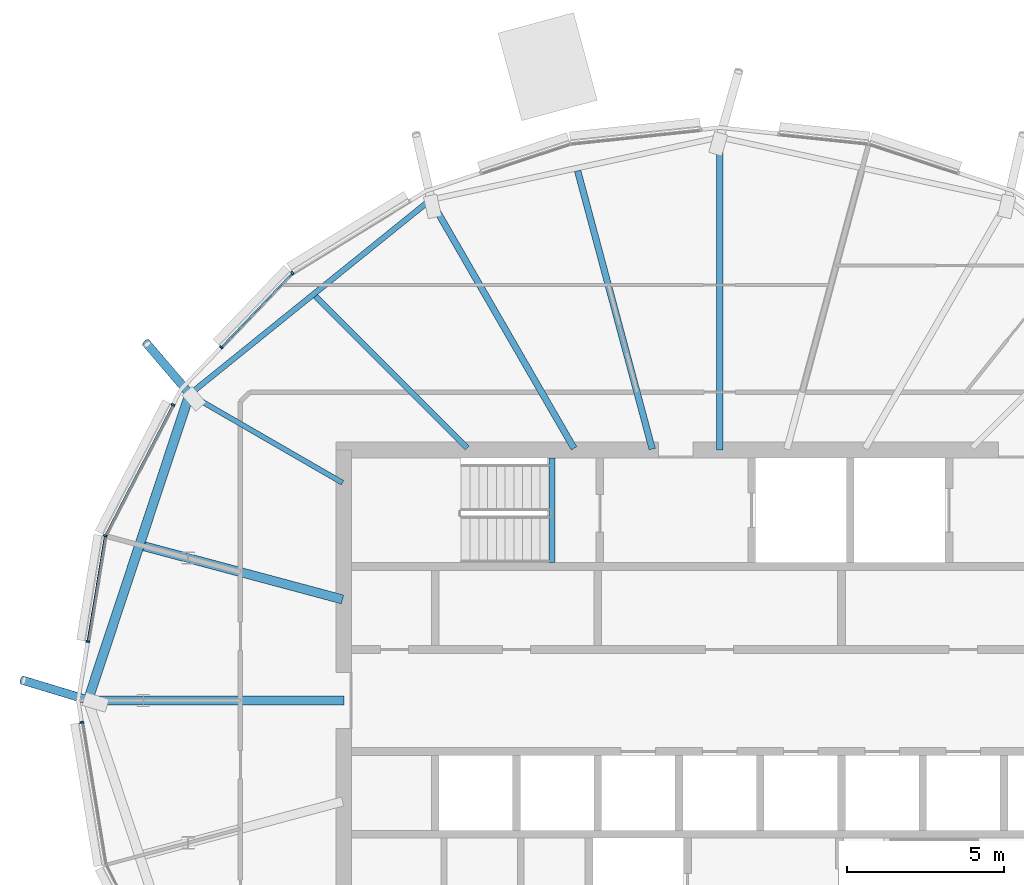
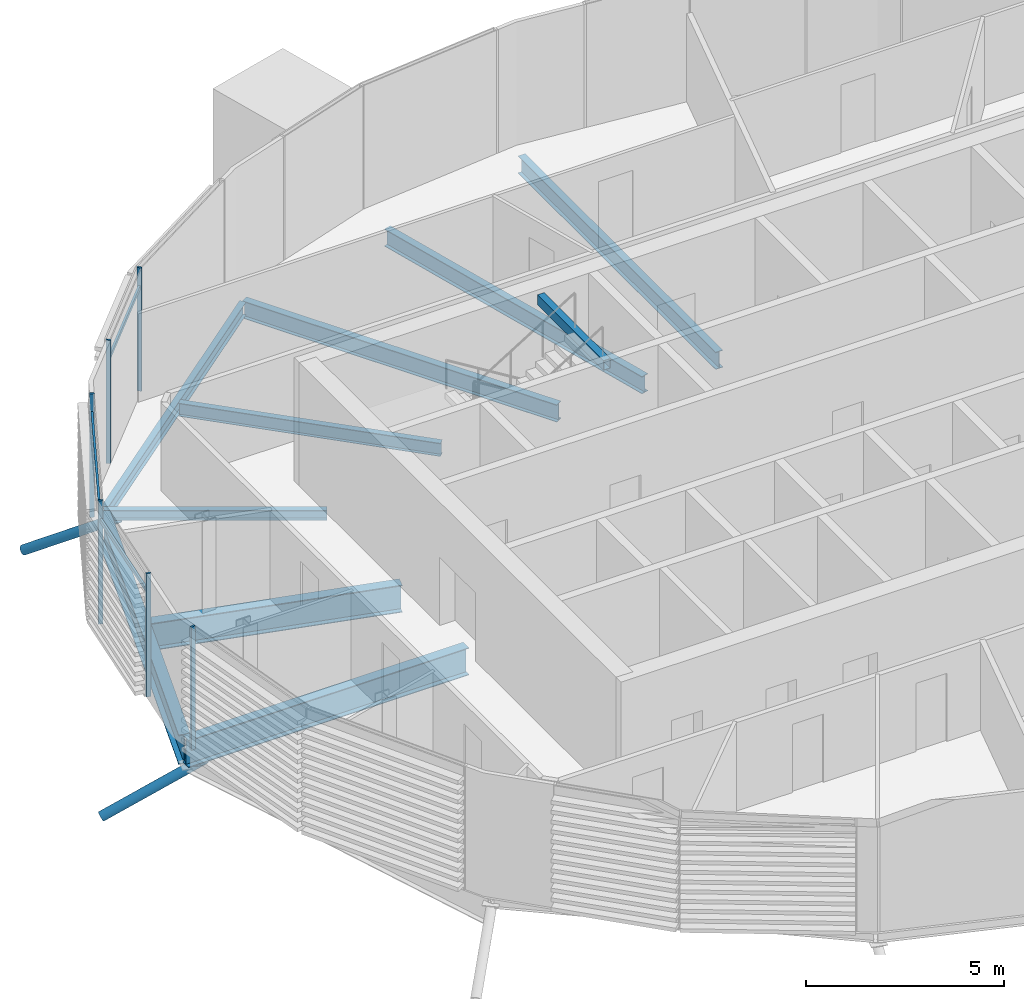
# One storey, part 5 of 33: 11 members, 10 beams, 1 element without a shape of its own.
"""IFC4 building model written with IfcOpenShell, lengths in metres."""

from ifc_helpers import new_model, si_unit, direction, frame, origin, origin_2d, place, context, subcontext, project, spatial, rectangle, hollow_rectangle, hollow_circle, i_section, extrude, clip, halfspace, material, material_profile, profile_set, type_object, element, aggregate, save


model = new_model("IFC4")

# Units and contexts
model_context = context("Model", 3, precision=1e-05, world=origin(), true_north=direction((0.0, 1.0)))
body_context = subcontext(model_context, "Body", "Model", "MODEL_VIEW")
ifc_project = project(units=[si_unit("LENGTHUNIT", "METRE"), si_unit("AREAUNIT", "SQUARE_METRE"), si_unit("VOLUMEUNIT", "CUBIC_METRE"), si_unit("PLANEANGLEUNIT", "RADIAN"), si_unit("MASSUNIT", "GRAM", prefix="KILO")], contexts=[model_context])

# Site, building, storey
site_placement = place(None, origin())
site = spatial("IfcSite", under=ifc_project, at=site_placement, CompositionType="ELEMENT")
building_placement = place(site_placement, origin())
building = spatial("IfcBuilding", under=site, at=building_placement, Name="Rimbun Link Towers", CompositionType="ELEMENT")
storey_placement = place(building_placement, frame((0.0, 0.0, 237.10009765625)))
storey = spatial("IfcBuildingStorey", under=building, at=storey_placement, Name="L58", CompositionType="ELEMENT", Elevation=237.10009765625)

# Curtain wall, members
ifc_material_1 = material(Name="Aluminium 6063-T6 and low-iron glass", Category="aluminium")
curtain_wall_type = type_object("IfcCurtainWallType", Name="CW1-Z4 unitised vision wall (zone 4)", PredefinedType="NOTDEFINED", material=ifc_material_1)
curtain_wall_placement = place(storey_placement, origin())
curtain_wall = element("IfcCurtainWall", 1, at=curtain_wall_placement, inside=storey, type_object=curtain_wall_type, Name="CW1 L58 T1", PredefinedType="NOTDEFINED")
ifc_material_2 = material(Name="Aluminium 6063-T6", Category="aluminium")
ifc_material_profile_1 = material_profile(ifc_material_2, rectangle(XDim=0.1201171875, YDim=0.06005859375, at=origin_2d()), Name="MULLION 60X120")
ifc_profile_set_1 = profile_set([ifc_material_profile_1], Name="Aluminium 6063-T6")
member_type_1 = type_object("IfcMemberType", Name="CW1 mullion 60X120", PredefinedType="MULLION", material=ifc_profile_set_1)
member_1_placement = place(storey_placement, frame((-45.39111328125, 13.650146484375, 0.0), z_axis=(0.0, 0.0, 1.0), x_axis=(-0.627668219007, 0.778480961134, 0.0)))
member_1 = element("IfcMember", 2, at=member_1_placement, type_object=member_type_1, Name="CW1 mullion", PredefinedType="MULLION", context=body_context, shape_type="SweptSolid", body=[
    extrude(rectangle(XDim=0.1201171875, YDim=0.06005859375, at=origin_2d()), origin(), (0.0, 0.0, 1.0), 3.7998046875),
])
member_2_placement = place(storey_placement, frame((-47.664794921875, 11.279541015625, 0.0), z_axis=(0.0, 0.0, 1.0), x_axis=(-0.721841631662, 0.692058277025, 0.0)))
member_2 = element("IfcMember", 3, at=member_2_placement, type_object=member_type_1, Name="CW1 mullion", PredefinedType="MULLION", context=body_context, shape_type="SweptSolid", body=[
    extrude(rectangle(XDim=0.1201171875, YDim=0.06005859375, at=origin_2d()), origin(), (0.0, 0.0, 1.0), 3.7998046875),
])
member_3_placement = place(storey_placement, frame((-51.3701171875, 5.260986328125, 0.0), z_axis=(0.0, 0.0, 1.0), x_axis=(-0.949161339918, 0.314790010651, 0.0)))
member_3 = element("IfcMember", 4, at=member_3_placement, type_object=member_type_1, Name="CW1 mullion", PredefinedType="MULLION", context=body_context, shape_type="SweptSolid", body=[
    extrude(rectangle(XDim=0.1201171875, YDim=0.06005859375, at=origin_2d()), origin(), (0.0, 0.0, 1.0), 3.7998046875),
])
member_4_placement = place(storey_placement, frame((-49.207763671875, 9.441650390625, 0.0), z_axis=(0.0, 0.0, 1.0), x_axis=(-0.888151937067, 0.459549928391, 0.0)))
member_4 = element("IfcMember", 5, at=member_4_placement, type_object=member_type_1, Name="CW1 mullion", PredefinedType="MULLION", context=body_context, shape_type="SweptSolid", body=[
    extrude(rectangle(XDim=0.1201171875, YDim=0.06005859375, at=origin_2d()), origin(), (0.0, 0.0, 1.0), 3.7998046875),
])
member_5_placement = place(storey_placement, frame((-51.926025390625, 1.884521484375, 0.0), z_axis=(0.0, 0.0, 1.0), x_axis=(-0.986747736898, 0.162261836936, 0.0)))
member_5 = element("IfcMember", 6, at=member_5_placement, type_object=member_type_1, Name="CW1 mullion", PredefinedType="MULLION", context=body_context, shape_type="SweptSolid", body=[
    extrude(rectangle(XDim=0.1201171875, YDim=0.06005859375, at=origin_2d()), origin(), (0.0, 0.0, 1.0), 3.7998046875),
])
member_6_placement = place(storey_placement, frame((-52.120849609375, -0.700439453125, 0.0), z_axis=(0.0, 0.0, 1.0), x_axis=(-0.986747736898, -0.162261836936, 0.0)))
member_6 = element("IfcMember", 7, at=member_6_placement, type_object=member_type_1, Name="CW1 mullion", PredefinedType="MULLION", context=body_context, shape_type="SweptSolid", body=[
    extrude(rectangle(XDim=0.1201171875, YDim=0.06005859375, at=origin_2d()), origin(), (0.0, 0.0, 1.0), 3.7998046875),
])
ifc_material_3 = material(Name="Aluminium 6063-T6", Category="aluminium")
ifc_material_profile_2 = material_profile(ifc_material_3, rectangle(XDim=0.06005859375, YDim=0.1201171875, at=origin_2d()), Name="TRANSOM 60X120")
ifc_profile_set_2 = profile_set([ifc_material_profile_2], Name="Aluminium 6063-T6")
member_type_2 = type_object("IfcMemberType", Name="CW1 transom 60X120", PredefinedType="USERDEFINED", material=ifc_profile_set_2)
member_7_placement = place(storey_placement, frame((-47.642578125, 11.2998046875, 3.199951171875), z_axis=(0.692076755935, 0.721823914743, 0.0), x_axis=(-0.721823914743, 0.692076755935, 0.0)))
member_7 = element("IfcMember", 8, at=member_7_placement, type_object=member_type_2, Name="CW1 transom", ObjectType="TRANSOM", PredefinedType="USERDEFINED", context=body_context, shape_type="SweptSolid", body=[
    extrude(rectangle(XDim=0.06005859375, YDim=0.1201171875, at=origin_2d()), origin(), (0.0, 0.0, 1.0), 3.21728515625),
])
member_8_placement = place(storey_placement, frame((-51.350830078125, 5.29541015625, 3.199951171875), z_axis=(0.459553246669, 0.888150220107, 0.0), x_axis=(-0.888150220107, 0.459553246669, 0.0)))
member_8 = element("IfcMember", 9, at=member_8_placement, type_object=member_type_2, Name="CW1 transom", ObjectType="TRANSOM", PredefinedType="USERDEFINED", context=body_context, shape_type="SweptSolid", body=[
    extrude(rectangle(XDim=0.06005859375, YDim=0.1201171875, at=origin_2d()), origin(), (0.0, 0.0, 1.0), 4.637451171875),
])
member_9_placement = place(storey_placement, frame((-51.919189453125, 1.913818359375, 3.199951171875), z_axis=(0.162249338505, 0.986749792072, 0.0), x_axis=(-0.986749792072, 0.162249338505, 0.0)))
member_9 = element("IfcMember", 10, at=member_9_placement, type_object=member_type_2, Name="CW1 transom", ObjectType="TRANSOM", PredefinedType="USERDEFINED", context=body_context, shape_type="SweptSolid", body=[
    extrude(rectangle(XDim=0.06005859375, YDim=0.1201171875, at=origin_2d()), origin(), (0.0, 0.0, 1.0), 3.3525390625),
])
aggregate(curtain_wall, [member_1, member_2, member_3, member_4, member_5, member_6, member_7, member_8, member_9])

# Members
ifc_material_4 = material(Name="Steel S355J2H", Category="steel")
ifc_material_profile_3 = material_profile(ifc_material_4, hollow_circle(Radius=0.136474609375, WallThickness=0.012451171875, at=origin_2d()), Name="CHS 273x12.5")
ifc_profile_set_3 = profile_set([ifc_material_profile_3], Name="Steel S355J2H")
member_type_3 = type_object("IfcMemberType", Name="Floor edge link CHS 273x12.5", PredefinedType="BRACE", material=ifc_profile_set_3)
member_10_placement = place(storey_placement, frame((-48.635498046875, 9.748779296875, -0.558837890625), z_axis=(-0.551101312, 0.645492469093, -0.528797519147), x_axis=(-0.760523102048, -0.649310874121, 0.0)))
element("IfcMember", 11, at=member_10_placement, inside=storey, type_object=member_type_3, Name="Floor edge link T1 L58 10", PredefinedType="BRACE", context=body_context, shape_type="Clipping", body=[
    clip(extrude(hollow_circle(Radius=0.136474609375, WallThickness=0.012451171875, at=origin_2d()), frame((0.0, 0.0, -0.457275390625)), (0.0, 0.0, 1.0), 3.051513671875), halfspace(frame((0.0, 0.0, -0.21435546875), z_axis=(0.0, 0.848748009567, -0.528797519147)), False)),
])
member_11_placement = place(storey_placement, frame((-51.871826171875, 0.0, -1.102294921875), z_axis=(-0.855232060458, 0.25880488375, -0.44899683174), x_axis=(-0.289642109218, -0.957135021075, 0.0)))
element("IfcMember", 12, at=member_11_placement, inside=storey, type_object=member_type_3, Name="Floor edge link T1 L58 12", PredefinedType="BRACE", context=body_context, shape_type="Clipping", body=[
    clip(extrude(hollow_circle(Radius=0.136474609375, WallThickness=0.012451171875, at=origin_2d()), frame((0.0, 0.0, -0.565673828125)), (0.0, 0.0, 1.0), 3.07763671875), halfspace(frame((0.0, 0.0, -0.26611328125), z_axis=(0.0, 0.893533348615, -0.44899683174)), False)),
])

# Beams
ifc_material_5 = material(Name="Steel S355J2", Category="steel")
ifc_material_profile_4 = material_profile(ifc_material_5, hollow_rectangle(XDim=0.199951171875, YDim=0.300048828125, WallThickness=0.011962890625, at=origin_2d()), Name="BOX 300x200x12")
ifc_profile_set_4 = profile_set([ifc_material_profile_4], Name="Steel S355J2")
beam_type_1 = type_object("IfcBeamType", Name="Stair trimmer beam BOX 300x200x12", PredefinedType="BEAM", material=ifc_profile_set_4)
beam_1_placement = place(storey_placement, frame((-37.10009765625, 7.75, 3.510009765625), z_axis=(0.0, -1.0, 0.0), x_axis=(1.0, 0.0, 0.0)))
element("IfcBeam", 13, at=beam_1_placement, inside=storey, type_object=beam_type_1, Name="L58 ST1 stair beam 1", PredefinedType="BEAM", context=body_context, shape_type="SweptSolid", body=[
    extrude(hollow_rectangle(XDim=0.199951171875, YDim=0.300048828125, WallThickness=0.011962890625, at=origin_2d()), origin(), (0.0, 0.0, 1.0), 3.35009765625),
])
ifc_material_6 = material(Name="Steel S355J2", Category="steel")
ifc_material_profile_5 = material_profile(ifc_material_6, i_section(OverallWidth=0.1650390625, OverallDepth=0.303466796875, WebThickness=0.006103515625, FlangeThickness=0.01025390625, at=origin_2d()), Name="UB 305x165x40")
ifc_profile_set_5 = profile_set([ifc_material_profile_5], Name="Steel S355J2")
beam_type_2 = type_object("IfcBeamType", Name="UB 305x165x40", PredefinedType="BEAM", material=ifc_profile_set_5)
beam_2_placement = place(storey_placement, frame((-43.7919921875, 6.952392578125, -0.291748046875), z_axis=(-0.866029956157, 0.499992114976, 0.0), x_axis=(-0.499992114976, -0.866029956157, 0.0)))
element("IfcBeam", 14, at=beam_2_placement, inside=storey, type_object=beam_type_2, Name="Radial beam T1 L58 10", PredefinedType="BEAM", context=body_context, shape_type="SweptSolid", body=[
    extrude(i_section(OverallWidth=0.1650390625, OverallDepth=0.303466796875, WebThickness=0.006103515625, FlangeThickness=0.01025390625, at=origin_2d()), origin(), (0.0, 0.0, 1.0), 5.642578125),
])
ifc_material_7 = material(Name="Steel S355J2", Category="steel")
ifc_material_profile_6 = material_profile(ifc_material_7, i_section(OverallWidth=0.177978515625, OverallDepth=0.406494140625, WebThickness=0.0078125, FlangeThickness=0.0126953125, at=origin_2d()), Name="UB 406x178x60")
ifc_profile_set_6 = profile_set([ifc_material_profile_6], Name="Steel S355J2")
beam_type_3 = type_object("IfcBeamType", Name="UB 406x178x60", PredefinedType="BEAM", material=ifc_profile_set_6)
beam_3_placement = place(storey_placement, frame((-39.813720703125, 8.063720703125, -0.34326171875), z_axis=(-0.707106781187, 0.707106781187, 0.0), x_axis=(-0.707106781187, -0.707106781187, 0.0)))
element("IfcBeam", 15, at=beam_3_placement, inside=storey, type_object=beam_type_3, Name="Radial beam T1 L58 09", PredefinedType="BEAM", context=body_context, shape_type="SweptSolid", body=[
    extrude(i_section(OverallWidth=0.177978515625, OverallDepth=0.406494140625, WebThickness=0.0078125, FlangeThickness=0.0126953125, at=origin_2d()), origin(), (0.0, 0.0, 1.0), 6.84814453125),
])
beam_4_placement = place(storey_placement, frame((-41.064208984375, 15.92138671875, -0.34326171875), z_axis=(-0.778075590963, -0.628170657343, 0.0), x_axis=(0.628170657343, -0.778075590963, 0.0)))
element("IfcBeam", 16, at=beam_4_placement, inside=storey, type_object=beam_type_3, Name="Edge beam T1 L58 08-10", PredefinedType="BEAM", context=body_context, shape_type="SweptSolid", body=[
    extrude(i_section(OverallWidth=0.177978515625, OverallDepth=0.406494140625, WebThickness=0.0078125, FlangeThickness=0.0126953125, at=origin_2d()), origin(), (0.0, 0.0, 1.0), 9.697021484375),
])
ifc_material_8 = material(Name="Steel S355J2", Category="steel")
ifc_material_profile_7 = material_profile(ifc_material_8, i_section(OverallWidth=0.209228515625, OverallDepth=0.533203125, WebThickness=0.010009765625, FlangeThickness=0.015625, at=origin_2d()), Name="UB 533x210x92")
ifc_profile_set_7 = profile_set([ifc_material_profile_7], Name="Steel S355J2")
beam_type_4 = type_object("IfcBeamType", Name="UB 533x210x92", PredefinedType="BEAM", material=ifc_profile_set_7)
beam_5_placement = place(storey_placement, frame((-31.75, 8.0009765625, -0.406494140625), z_axis=(0.0, 1.0, 0.0), x_axis=(-1.0, 0.0, 0.0)))
element("IfcBeam", 17, at=beam_5_placement, inside=storey, type_object=beam_type_4, Name="Radial beam T1 L58 06", PredefinedType="BEAM", context=body_context, shape_type="SweptSolid", body=[
    extrude(i_section(OverallWidth=0.209228515625, OverallDepth=0.533203125, WebThickness=0.010009765625, FlangeThickness=0.015625, at=origin_2d()), origin(), (0.0, 0.0, 1.0), 9.984375),
])
beam_6_placement = place(storey_placement, frame((-33.901123046875, 8.028076171875, -0.406494140625), z_axis=(-0.2588320469, 0.965922342374, 0.0), x_axis=(-0.965922342374, -0.2588320469, 0.0)))
element("IfcBeam", 18, at=beam_6_placement, inside=storey, type_object=beam_type_4, Name="Radial beam T1 L58 07", PredefinedType="BEAM", context=body_context, shape_type="SweptSolid", body=[
    extrude(i_section(OverallWidth=0.209228515625, OverallDepth=0.533203125, WebThickness=0.010009765625, FlangeThickness=0.015625, at=origin_2d()), origin(), (0.0, 0.0, 1.0), 9.198486328125),
])
beam_7_placement = place(storey_placement, frame((-36.3994140625, 8.05322265625, -0.406494140625), z_axis=(-0.500016122821, 0.866016095069, 0.0), x_axis=(-0.866016095069, -0.500016122821, 0.0)))
element("IfcBeam", 19, at=beam_7_placement, inside=storey, type_object=beam_type_4, Name="Radial beam T1 L58 08", PredefinedType="BEAM", context=body_context, shape_type="SweptSolid", body=[
    extrude(i_section(OverallWidth=0.209228515625, OverallDepth=0.533203125, WebThickness=0.010009765625, FlangeThickness=0.015625, at=origin_2d()), origin(), (0.0, 0.0, 1.0), 9.163330078125),
])
ifc_material_9 = material(Name="Steel S355J2", Category="steel")
ifc_material_profile_8 = material_profile(ifc_material_9, i_section(OverallWidth=0.29248046875, OverallDepth=0.8408203125, WebThickness=0.0126953125, FlangeThickness=0.021728515625, at=origin_2d()), Name="UB 838x292x194")
ifc_profile_set_8 = profile_set([ifc_material_profile_8], Name="Steel S355J2")
beam_type_5 = type_object("IfcBeamType", Name="UB 838x292x194", PredefinedType="BEAM", material=ifc_profile_set_8)
beam_8_placement = place(storey_placement, frame((-43.788818359375, 3.225830078125, -0.560546875), z_axis=(-0.965929781148, 0.258804284917, 0.0), x_axis=(-0.258804284917, -0.965929781148, 0.0)))
element("IfcBeam", 20, at=beam_8_placement, inside=storey, type_object=beam_type_5, Name="Radial beam T1 L58 11", PredefinedType="BEAM", context=body_context, shape_type="SweptSolid", body=[
    extrude(i_section(OverallWidth=0.29248046875, OverallDepth=0.8408203125, WebThickness=0.0126953125, FlangeThickness=0.021728515625, at=origin_2d()), origin(), (0.0, 0.0, 1.0), 6.56103515625),
])
beam_9_placement = place(storey_placement, frame((-43.7509765625, 0.0, -0.560546875), z_axis=(-1.0, 0.0, 0.0), x_axis=(0.0, -1.0, 0.0)))
element("IfcBeam", 21, at=beam_9_placement, inside=storey, type_object=beam_type_5, Name="Radial beam T1 L58 12", PredefinedType="BEAM", context=body_context, shape_type="SweptSolid", body=[
    extrude(i_section(OverallWidth=0.29248046875, OverallDepth=0.8408203125, WebThickness=0.0126953125, FlangeThickness=0.021728515625, at=origin_2d()), origin(), (0.0, 0.0, 1.0), 8.1708984375),
])
ifc_material_10 = material(Name="Steel S355J2", Category="steel")
ifc_material_profile_9 = material_profile(ifc_material_10, i_section(OverallWidth=0.305419921875, OverallDepth=0.91845703125, WebThickness=0.017333984375, FlangeThickness=0.02783203125, at=origin_2d()), Name="UB 914x305x253")
ifc_profile_set_9 = profile_set([ifc_material_profile_9], Name="Steel S355J2")
beam_type_6 = type_object("IfcBeamType", Name="UB 914x305x253", PredefinedType="BEAM", material=ifc_profile_set_9)
beam_10_placement = place(storey_placement, frame((-48.70556640625, 9.693115234375, -0.599365234375), z_axis=(-0.314931237743, -0.949114490193, 0.0), x_axis=(0.949114490193, -0.314931237743, 0.0)))
element("IfcBeam", 22, at=beam_10_placement, inside=storey, type_object=beam_type_6, Name="Edge beam T1 L58 10-12", PredefinedType="BEAM", context=body_context, shape_type="SweptSolid", body=[
    extrude(i_section(OverallWidth=0.305419921875, OverallDepth=0.91845703125, WebThickness=0.017333984375, FlangeThickness=0.02783203125, at=origin_2d()), origin(), (0.0, 0.0, 1.0), 10.0576171875),
])

save(model, "model.ifc")
